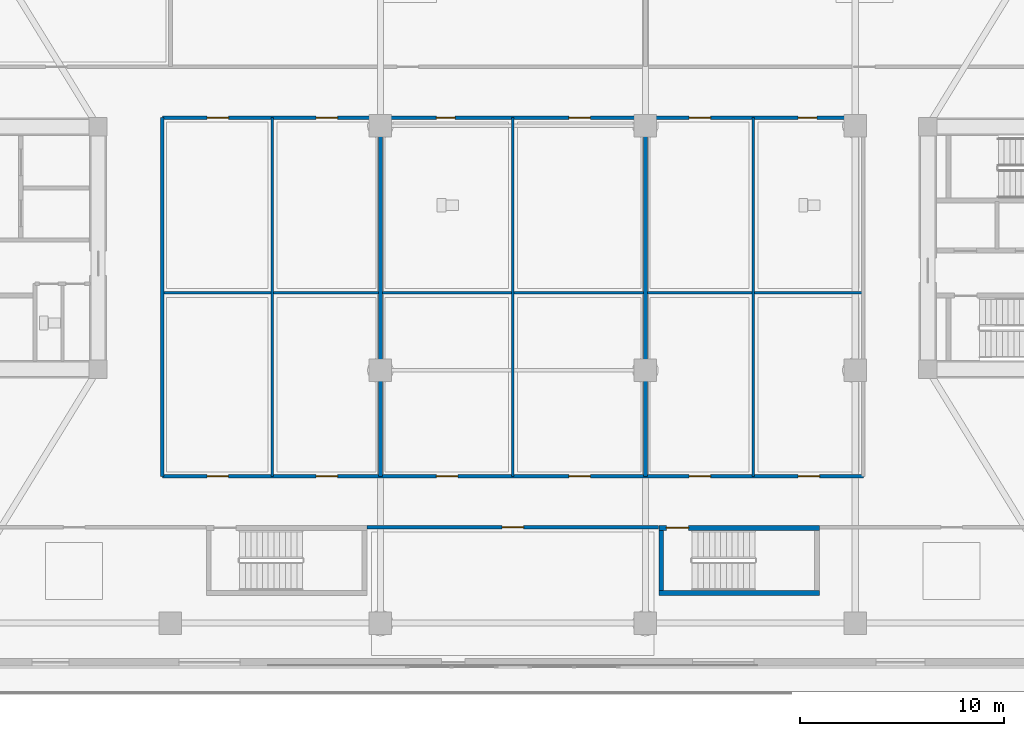
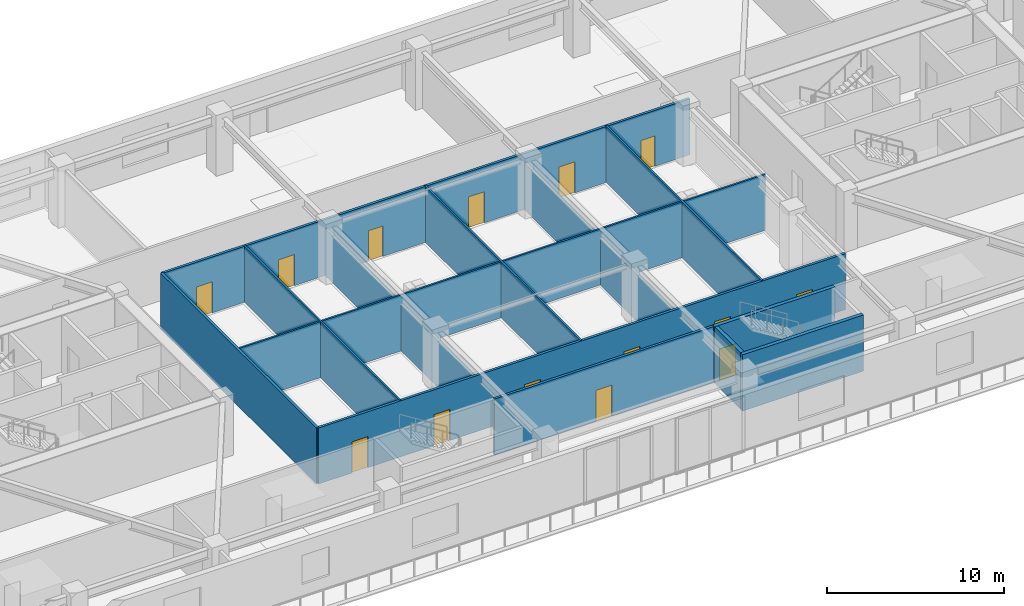
# One storey, part 7 of 22: 14 doors, 13 walls, 14 openings.
"""IFC4 building model written with IfcOpenShell, lengths in metres."""

from ifc_helpers import new_model, si_unit, direction, frame, frame_2d, origin, place, context, subcontext, project, spatial, rectangle, extrude, source, transform, mapped, material, layer, layer_set, type_object, type_shapes, element, fill, save


model = new_model("IFC4")

# Units and contexts
model_context = context("Model", 3, precision=1e-05, world=origin(), true_north=direction((0.0, 1.0)))
body_context = subcontext(model_context, "Body", "Model", "MODEL_VIEW")
ifc_project = project(units=[si_unit("LENGTHUNIT", "METRE"), si_unit("AREAUNIT", "SQUARE_METRE"), si_unit("VOLUMEUNIT", "CUBIC_METRE"), si_unit("PLANEANGLEUNIT", "RADIAN"), si_unit("MASSUNIT", "GRAM", prefix="KILO")], contexts=[model_context])

# Site, building, storey
site_placement = place(None, origin())
site = spatial("IfcSite", under=ifc_project, at=site_placement, CompositionType="ELEMENT")
building_placement = place(site_placement, origin())
building = spatial("IfcBuilding", under=site, at=building_placement, Name="Norrkilde Senior Care Towers", CompositionType="ELEMENT")
storey_placement = place(building_placement, frame((0.0, 0.0, 12.60009765625)))
storey = spatial("IfcBuildingStorey", under=building, at=storey_placement, Name="L03", CompositionType="ELEMENT", Elevation=12.60009765625)

# Wall, opening, door
ifc_material_1 = material(Name="Concrete C45/55", Category="concrete")
ifc_layer_1 = layer(ifc_material_1, 0.239990234375)
ifc_layer_set_1 = layer_set([ifc_layer_1], Name="Concrete C45/55")
wall_type_1 = type_object("IfcWallType", Name="Shaft and Stair Enclosure Wall 240", PredefinedType="PARTITIONING", material=ifc_layer_set_1)
shared_shape_1 = source(origin(), body_context, "Body", "SweptSolid", [
    extrude(rectangle(XDim=7.880126953125, YDim=0.239990234375, at=frame_2d((3.93994140625, 0.0))), origin(), (0.0, 0.0, 1.0), 3.8798828125),
])
wall_1_placement = place(storey_placement, frame((7.159912109375, -13.72998046875, 0.0), z_axis=(0.0, 0.0, 1.0), x_axis=(1.0, 0.0, 0.0)))
wall_1 = element("IfcWall", 1, at=wall_1_placement, inside=storey, type_object=wall_type_1, Name="WL-INT-L03-STP2-N", PredefinedType="PARTITIONING", context=body_context, shape_type="MappedRepresentation", body=[
    mapped(shared_shape_1, transform((0.0, 0.0, 0.0), x_axis=(1.0, 0.0, 0.0), y_axis=(0.0, 1.0, 0.0), z_axis=(0.0, 0.0, 1.0), scale=1.0)),
])
opening_1_placement = place(wall_1_placement, frame((0.3701171875, 0.0, 0.0)))
opening_1 = element("IfcOpeningElement", 2, at=opening_1_placement, cuts=wall_1, Name="Opening D-03", PredefinedType="OPENING", context=body_context, shape_type="SweptSolid", body=[
    extrude(rectangle(XDim=1.10009765625, YDim=2.14990234375, at=frame_2d((0.550048828125, 1.074951171875))), frame((0.0, 0.1298828125, 0.0), z_axis=(0.0, -1.0, 0.0), x_axis=(1.0, 0.0, 0.0)), (0.0, 0.0, 1.0), 0.260009765625),
])
ifc_material_2 = material(Name="Galvanised Painted Steel", Category="steel")
door_type_1 = type_object("IfcDoorType", Name="Stairwell Protected Fire Door 1100x2150", OperationType="NOTDEFINED", PredefinedType="DOOR", material=ifc_material_2)
shared_shape_2 = source(origin(), body_context, "Body", "SweptSolid", [
    extrude(rectangle(XDim=1.10009765625, YDim=2.14990234375, at=frame_2d((0.550048828125, 1.074951171875))), frame((0.0, 0.02490234375, 0.0), z_axis=(0.0, -1.0, 0.0), x_axis=(1.0, 0.0, 0.0)), (0.0, 0.0, 1.0), 0.050048828125),
])
type_shapes(door_type_1, [shared_shape_2])
door_1_placement = place(opening_1_placement, origin())
door_1 = element("IfcDoor", 3, at=door_1_placement, inside=storey, type_object=door_type_1, Name="L03 Podium Stair P2 Door", OperationType="SINGLE_SWING_LEFT", OverallHeight=2.14990234375, OverallWidth=1.10009765625, PredefinedType="DOOR", context=body_context, shape_type="MappedRepresentation", body=[
    mapped(shared_shape_2, transform((0.0, 0.0, 0.0), x_axis=(1.0, 0.0, 0.0), y_axis=(0.0, 1.0, 0.0), z_axis=(0.0, 0.0, 1.0), scale=1.0)),
])
fill(opening_1, door_1)

# Walls
wall_2_placement = place(storey_placement, frame((7.159912109375, -16.919921875, 0.0), z_axis=(0.0, 0.0, 1.0), x_axis=(1.0, 0.0, 0.0)))
element("IfcWall", 4, at=wall_2_placement, inside=storey, type_object=wall_type_1, Name="WL-INT-L03-STP2-S", PredefinedType="PARTITIONING", context=body_context, shape_type="MappedRepresentation", body=[
    mapped(shared_shape_1, transform((0.0, 0.0, 0.0), x_axis=(1.0, 0.0, 0.0), y_axis=(0.0, 1.0, 0.0), z_axis=(0.0, 0.0, 1.0), scale=1.0)),
])
shared_shape_3 = source(origin(), body_context, "Body", "SweptSolid", [
    extrude(rectangle(XDim=2.949951171875, YDim=0.239990234375, at=frame_2d((1.47509765625, 0.0))), origin(), (0.0, 0.0, 1.0), 3.8798828125),
])
type_shapes(wall_type_1, [shared_shape_1, shared_shape_3])
wall_3_placement = place(storey_placement, frame((7.280029296875, -16.800048828125, 0.0), z_axis=(0.0, 0.0, 1.0), x_axis=(0.0, 1.0, 0.0)))
element("IfcWall", 5, at=wall_3_placement, inside=storey, type_object=wall_type_1, Name="WL-INT-L03-STP2-W", PredefinedType="PARTITIONING", context=body_context, shape_type="MappedRepresentation", body=[
    mapped(shared_shape_3, transform((0.0, 0.0, 0.0), x_axis=(1.0, 0.0, 0.0), y_axis=(0.0, 1.0, 0.0), z_axis=(0.0, 0.0, 1.0), scale=1.0)),
])
ifc_material_3 = material(Name="Gypsum Acoustic Board")
ifc_layer_2 = layer(ifc_material_3, 0.1650390625)
ifc_layer_set_2 = layer_set([ifc_layer_2], Name="Gypsum Acoustic Board")
wall_type_2 = type_object("IfcWallType", Name="Corridor Rated Partition 165", PredefinedType="PARTITIONING", material=ifc_layer_set_2)
shared_shape_4 = source(origin(), body_context, "Body", "SweptSolid", [
    extrude(rectangle(XDim=17.599853515625, YDim=0.1650390625, at=frame_2d((8.7998046875, 0.0))), origin(), (0.0, 0.0, 1.0), 3.864990234375),
])
wall_4_placement = place(storey_placement, frame((-17.199951171875, -11.199951171875, 0.0), z_axis=(0.0, 0.0, 1.0), x_axis=(0.0, 1.0, 0.0)))
element("IfcWall", 6, at=wall_4_placement, inside=storey, type_object=wall_type_2, Name="WL-INT-L03-POD-W", PredefinedType="PARTITIONING", context=body_context, shape_type="MappedRepresentation", body=[
    mapped(shared_shape_4, transform((0.0, 0.0, 0.0), x_axis=(1.0, 0.0, 0.0), y_axis=(0.0, 1.0, 0.0), z_axis=(0.0, 0.0, 1.0), scale=1.0)),
])

# Wall, openings, doors
shared_shape_5 = source(origin(), body_context, "Body", "SweptSolid", [
    extrude(rectangle(XDim=34.39990234375, YDim=0.1650390625, at=frame_2d((17.199951171875, 0.0))), origin(), (0.0, 0.0, 1.0), 3.864990234375),
])
wall_5_placement = place(storey_placement, frame((-17.199951171875, -11.199951171875, 0.0), z_axis=(0.0, 0.0, 1.0), x_axis=(1.0, 0.0, 0.0)))
wall_5 = element("IfcWall", 7, at=wall_5_placement, inside=storey, type_object=wall_type_2, Name="WL-INT-L03-POD-CS", PredefinedType="PARTITIONING", context=body_context, shape_type="MappedRepresentation", body=[
    mapped(shared_shape_5, transform((0.0, 0.0, 0.0), x_axis=(1.0, 0.0, 0.0), y_axis=(0.0, 1.0, 0.0), z_axis=(0.0, 0.0, 1.0), scale=1.0)),
])
opening_2_placement = place(wall_5_placement, frame((2.199951171875, 0.0, 0.0)))
opening_2 = element("IfcOpeningElement", 8, at=opening_2_placement, cuts=wall_5, Name="Opening D-06", PredefinedType="OPENING", context=body_context, shape_type="SweptSolid", body=[
    extrude(rectangle(XDim=1.050048828125, YDim=2.14990234375, at=frame_2d((0.52490234375, 1.074951171875))), frame((0.0, 0.092529296875, 0.0), z_axis=(0.0, -1.0, 0.0), x_axis=(1.0, 0.0, 0.0)), (0.0, 0.0, 1.0), 0.18505859375),
])
opening_3_placement = place(wall_5_placement, frame((7.550048828125, 0.0, 0.0)))
opening_3 = element("IfcOpeningElement", 9, at=opening_3_placement, cuts=wall_5, Name="Opening D-06", PredefinedType="OPENING", context=body_context, shape_type="SweptSolid", body=[
    extrude(rectangle(XDim=1.050048828125, YDim=2.14990234375, at=frame_2d((0.52490234375, 1.074951171875))), frame((0.0, 0.092529296875, 0.0), z_axis=(0.0, -1.0, 0.0), x_axis=(1.0, 0.0, 0.0)), (0.0, 0.0, 1.0), 0.18505859375),
])
opening_4_placement = place(wall_5_placement, frame((13.449951171875, 0.0, 0.0)))
opening_4 = element("IfcOpeningElement", 10, at=opening_4_placement, cuts=wall_5, Name="Opening D-06", PredefinedType="OPENING", context=body_context, shape_type="SweptSolid", body=[
    extrude(rectangle(XDim=1.050048828125, YDim=2.14990234375, at=frame_2d((0.52490234375, 1.074951171875))), frame((0.0, 0.092529296875, 0.0), z_axis=(0.0, -1.0, 0.0), x_axis=(1.0, 0.0, 0.0)), (0.0, 0.0, 1.0), 0.18505859375),
])
opening_5_placement = place(wall_5_placement, frame((19.949951171875, 0.0, 0.0)))
opening_5 = element("IfcOpeningElement", 11, at=opening_5_placement, cuts=wall_5, Name="Opening D-06", PredefinedType="OPENING", context=body_context, shape_type="SweptSolid", body=[
    extrude(rectangle(XDim=1.050048828125, YDim=2.14990234375, at=frame_2d((0.52490234375, 1.074951171875))), frame((0.0, 0.092529296875, 0.0), z_axis=(0.0, -1.0, 0.0), x_axis=(1.0, 0.0, 0.0)), (0.0, 0.0, 1.0), 0.18505859375),
])
opening_6_placement = place(wall_5_placement, frame((25.85009765625, 0.0, 0.0)))
opening_6 = element("IfcOpeningElement", 12, at=opening_6_placement, cuts=wall_5, Name="Opening D-06", PredefinedType="OPENING", context=body_context, shape_type="SweptSolid", body=[
    extrude(rectangle(XDim=1.050048828125, YDim=2.14990234375, at=frame_2d((0.52490234375, 1.074951171875))), frame((0.0, 0.092529296875, 0.0), z_axis=(0.0, -1.0, 0.0), x_axis=(1.0, 0.0, 0.0)), (0.0, 0.0, 1.0), 0.18505859375),
])
opening_7_placement = place(wall_5_placement, frame((31.199951171875, 0.0, 0.0)))
opening_7 = element("IfcOpeningElement", 13, at=opening_7_placement, cuts=wall_5, Name="Opening D-06", PredefinedType="OPENING", context=body_context, shape_type="SweptSolid", body=[
    extrude(rectangle(XDim=1.050048828125, YDim=2.14990234375, at=frame_2d((0.52490234375, 1.074951171875))), frame((0.0, 0.092529296875, 0.0), z_axis=(0.0, -1.0, 0.0), x_axis=(1.0, 0.0, 0.0)), (0.0, 0.0, 1.0), 0.18505859375),
])
ifc_material_4 = material(Name="Nordic Ash Timber", Category="wood")
door_type_2 = type_object("IfcDoorType", Name="Apartment Entrance Fire Door 1050x2150", OperationType="NOTDEFINED", PredefinedType="DOOR", material=ifc_material_4)
shared_shape_6 = source(origin(), body_context, "Body", "SweptSolid", [
    extrude(rectangle(XDim=1.050048828125, YDim=2.14990234375, at=frame_2d((0.52490234375, 1.074951171875))), frame((0.0, 0.02490234375, 0.0), z_axis=(0.0, -1.0, 0.0), x_axis=(1.0, 0.0, 0.0)), (0.0, 0.0, 1.0), 0.050048828125),
])
type_shapes(door_type_2, [shared_shape_6])
door_2_placement = place(opening_2_placement, origin())
door_2 = element("IfcDoor", 14, at=door_2_placement, inside=storey, type_object=door_type_2, Name="L03 Occupational Therapy Kitchen Door", OperationType="SINGLE_SWING_LEFT", OverallHeight=2.14990234375, OverallWidth=1.050048828125, PredefinedType="DOOR", context=body_context, shape_type="MappedRepresentation", body=[
    mapped(shared_shape_6, transform((0.0, 0.0, 0.0), x_axis=(1.0, 0.0, 0.0), y_axis=(0.0, 1.0, 0.0), z_axis=(0.0, 0.0, 1.0), scale=1.0)),
])
fill(opening_2, door_2)
door_3_placement = place(opening_3_placement, origin())
door_3 = element("IfcDoor", 15, at=door_3_placement, inside=storey, type_object=door_type_2, Name="L03 Senior Communal Dining Salon Door", OperationType="SINGLE_SWING_LEFT", OverallHeight=2.14990234375, OverallWidth=1.050048828125, PredefinedType="DOOR", context=body_context, shape_type="MappedRepresentation", body=[
    mapped(shared_shape_6, transform((0.0, 0.0, 0.0), x_axis=(1.0, 0.0, 0.0), y_axis=(0.0, 1.0, 0.0), z_axis=(0.0, 0.0, 1.0), scale=1.0)),
])
fill(opening_3, door_3)
door_4_placement = place(opening_4_placement, origin())
door_4 = element("IfcDoor", 16, at=door_4_placement, inside=storey, type_object=door_type_2, Name="L03 Case Management Office Door", OperationType="SINGLE_SWING_LEFT", OverallHeight=2.14990234375, OverallWidth=1.050048828125, PredefinedType="DOOR", context=body_context, shape_type="MappedRepresentation", body=[
    mapped(shared_shape_6, transform((0.0, 0.0, 0.0), x_axis=(1.0, 0.0, 0.0), y_axis=(0.0, 1.0, 0.0), z_axis=(0.0, 0.0, 1.0), scale=1.0)),
])
fill(opening_4, door_4)
door_5_placement = place(opening_5_placement, origin())
door_5 = element("IfcDoor", 17, at=door_5_placement, inside=storey, type_object=door_type_2, Name="L03 Art and Music Therapy Lounge Door", OperationType="SINGLE_SWING_LEFT", OverallHeight=2.14990234375, OverallWidth=1.050048828125, PredefinedType="DOOR", context=body_context, shape_type="MappedRepresentation", body=[
    mapped(shared_shape_6, transform((0.0, 0.0, 0.0), x_axis=(1.0, 0.0, 0.0), y_axis=(0.0, 1.0, 0.0), z_axis=(0.0, 0.0, 1.0), scale=1.0)),
])
fill(opening_5, door_5)
door_6_placement = place(opening_6_placement, origin())
door_6 = element("IfcDoor", 18, at=door_6_placement, inside=storey, type_object=door_type_2, Name="L03 Cognitive Wellness Lounge Door", OperationType="SINGLE_SWING_LEFT", OverallHeight=2.14990234375, OverallWidth=1.050048828125, PredefinedType="DOOR", context=body_context, shape_type="MappedRepresentation", body=[
    mapped(shared_shape_6, transform((0.0, 0.0, 0.0), x_axis=(1.0, 0.0, 0.0), y_axis=(0.0, 1.0, 0.0), z_axis=(0.0, 0.0, 1.0), scale=1.0)),
])
fill(opening_6, door_6)
door_7_placement = place(opening_7_placement, origin())
door_7 = element("IfcDoor", 19, at=door_7_placement, inside=storey, type_object=door_type_2, Name="L03 Medical Records Office Door", OperationType="SINGLE_SWING_LEFT", OverallHeight=2.14990234375, OverallWidth=1.050048828125, PredefinedType="DOOR", context=body_context, shape_type="MappedRepresentation", body=[
    mapped(shared_shape_6, transform((0.0, 0.0, 0.0), x_axis=(1.0, 0.0, 0.0), y_axis=(0.0, 1.0, 0.0), z_axis=(0.0, 0.0, 1.0), scale=1.0)),
])
fill(opening_7, door_7)

wall_6_placement = place(storey_placement, frame((-17.199951171875, 6.39990234375, 0.0), z_axis=(0.0, 0.0, 1.0), x_axis=(1.0, 0.0, 0.0)))
wall_6 = element("IfcWall", 20, at=wall_6_placement, inside=storey, type_object=wall_type_2, Name="WL-INT-L03-POD-CN", PredefinedType="PARTITIONING", context=body_context, shape_type="MappedRepresentation", body=[
    mapped(shared_shape_5, transform((0.0, 0.0, 0.0), x_axis=(1.0, 0.0, 0.0), y_axis=(0.0, 1.0, 0.0), z_axis=(0.0, 0.0, 1.0), scale=1.0)),
])
opening_8_placement = place(wall_6_placement, frame((2.199951171875, 0.0, 0.0)))
opening_8 = element("IfcOpeningElement", 21, at=opening_8_placement, cuts=wall_6, Name="Opening D-06", PredefinedType="OPENING", context=body_context, shape_type="SweptSolid", body=[
    extrude(rectangle(XDim=1.050048828125, YDim=2.14990234375, at=frame_2d((0.52490234375, 1.074951171875))), frame((0.0, 0.092529296875, 0.0), z_axis=(0.0, -1.0, 0.0), x_axis=(1.0, 0.0, 0.0)), (0.0, 0.0, 1.0), 0.18505859375),
])
opening_9_placement = place(wall_6_placement, frame((7.550048828125, 0.0, 0.0)))
opening_9 = element("IfcOpeningElement", 22, at=opening_9_placement, cuts=wall_6, Name="Opening D-06", PredefinedType="OPENING", context=body_context, shape_type="SweptSolid", body=[
    extrude(rectangle(XDim=1.050048828125, YDim=2.14990234375, at=frame_2d((0.52490234375, 1.074951171875))), frame((0.0, 0.092529296875, 0.0), z_axis=(0.0, -1.0, 0.0), x_axis=(1.0, 0.0, 0.0)), (0.0, 0.0, 1.0), 0.18505859375),
])
opening_10_placement = place(wall_6_placement, frame((13.449951171875, 0.0, 0.0)))
opening_10 = element("IfcOpeningElement", 23, at=opening_10_placement, cuts=wall_6, Name="Opening D-08", PredefinedType="OPENING", context=body_context, shape_type="SweptSolid", body=[
    extrude(rectangle(XDim=0.919921875, YDim=2.10009765625, at=frame_2d((0.4599609375, 1.050048828125))), frame((0.0, 0.092529296875, 0.0), z_axis=(0.0, -1.0, 0.0), x_axis=(1.0, 0.0, 0.0)), (0.0, 0.0, 1.0), 0.18505859375),
])
opening_11_placement = place(wall_6_placement, frame((19.949951171875, 0.0, 0.0)))
opening_11 = element("IfcOpeningElement", 24, at=opening_11_placement, cuts=wall_6, Name="Opening D-06", PredefinedType="OPENING", context=body_context, shape_type="SweptSolid", body=[
    extrude(rectangle(XDim=1.050048828125, YDim=2.14990234375, at=frame_2d((0.52490234375, 1.074951171875))), frame((0.0, 0.092529296875, 0.0), z_axis=(0.0, -1.0, 0.0), x_axis=(1.0, 0.0, 0.0)), (0.0, 0.0, 1.0), 0.18505859375),
])
opening_12_placement = place(wall_6_placement, frame((25.85009765625, 0.0, 0.0)))
opening_12 = element("IfcOpeningElement", 25, at=opening_12_placement, cuts=wall_6, Name="Opening D-06", PredefinedType="OPENING", context=body_context, shape_type="SweptSolid", body=[
    extrude(rectangle(XDim=1.050048828125, YDim=2.14990234375, at=frame_2d((0.52490234375, 1.074951171875))), frame((0.0, 0.092529296875, 0.0), z_axis=(0.0, -1.0, 0.0), x_axis=(1.0, 0.0, 0.0)), (0.0, 0.0, 1.0), 0.18505859375),
])
opening_13_placement = place(wall_6_placement, frame((31.199951171875, 0.0, 0.0)))
opening_13 = element("IfcOpeningElement", 26, at=opening_13_placement, cuts=wall_6, Name="Opening D-08", PredefinedType="OPENING", context=body_context, shape_type="SweptSolid", body=[
    extrude(rectangle(XDim=0.919921875, YDim=2.10009765625, at=frame_2d((0.4599609375, 1.050048828125))), frame((0.0, 0.092529296875, 0.0), z_axis=(0.0, -1.0, 0.0), x_axis=(1.0, 0.0, 0.0)), (0.0, 0.0, 1.0), 0.18505859375),
])
door_type_3 = type_object("IfcDoorType", Name="Accessible Wet Room Door 920x2100", OperationType="NOTDEFINED", PredefinedType="DOOR", material=ifc_material_4)
shared_shape_7 = source(origin(), body_context, "Body", "SweptSolid", [
    extrude(rectangle(XDim=0.919921875, YDim=2.10009765625, at=frame_2d((0.4599609375, 1.050048828125))), frame((0.0, 0.02490234375, 0.0), z_axis=(0.0, -1.0, 0.0), x_axis=(1.0, 0.0, 0.0)), (0.0, 0.0, 1.0), 0.050048828125),
])
type_shapes(door_type_3, [shared_shape_7])
door_8_placement = place(opening_10_placement, frame((0.919921875, 0.0, 0.0), z_axis=(0.0, 0.0, 1.0), x_axis=(-1.0, 0.0, 0.0)))
door_8 = element("IfcDoor", 27, at=door_8_placement, inside=storey, type_object=door_type_3, Name="L03 Barrier-Free Accessible Toilets Door", OperationType="SINGLE_SWING_RIGHT", OverallHeight=2.10009765625, OverallWidth=0.919921875, PredefinedType="DOOR", context=body_context, shape_type="MappedRepresentation", body=[
    mapped(shared_shape_7, transform((0.0, 0.0, 0.0), x_axis=(1.0, 0.0, 0.0), y_axis=(0.0, 1.0, 0.0), z_axis=(0.0, 0.0, 1.0), scale=1.0)),
])
fill(opening_10, door_8)
door_9_placement = place(opening_13_placement, frame((0.919921875, 0.0, 0.0), z_axis=(0.0, 0.0, 1.0), x_axis=(-1.0, 0.0, 0.0)))
door_9 = element("IfcDoor", 28, at=door_9_placement, inside=storey, type_object=door_type_3, Name="L03 Public and Staff Restrooms Door", OperationType="SINGLE_SWING_RIGHT", OverallHeight=2.10009765625, OverallWidth=0.919921875, PredefinedType="DOOR", context=body_context, shape_type="MappedRepresentation", body=[
    mapped(shared_shape_7, transform((0.0, 0.0, 0.0), x_axis=(1.0, 0.0, 0.0), y_axis=(0.0, 1.0, 0.0), z_axis=(0.0, 0.0, 1.0), scale=1.0)),
])
fill(opening_13, door_9)
door_10_placement = place(opening_8_placement, frame((1.050048828125, 0.0, 0.0), z_axis=(0.0, 0.0, 1.0), x_axis=(-1.0, 0.0, 0.0)))
door_10 = element("IfcDoor", 29, at=door_10_placement, inside=storey, type_object=door_type_2, Name="L03 Memory Day-Care Lounge Door", OperationType="SINGLE_SWING_RIGHT", OverallHeight=2.14990234375, OverallWidth=1.050048828125, PredefinedType="DOOR", context=body_context, shape_type="MappedRepresentation", body=[
    mapped(shared_shape_6, transform((0.0, 0.0, 0.0), x_axis=(1.0, 0.0, 0.0), y_axis=(0.0, 1.0, 0.0), z_axis=(0.0, 0.0, 1.0), scale=1.0)),
])
fill(opening_8, door_10)
door_11_placement = place(opening_9_placement, frame((1.050048828125, 0.0, 0.0), z_axis=(0.0, 0.0, 1.0), x_axis=(-1.0, 0.0, 0.0)))
door_11 = element("IfcDoor", 30, at=door_11_placement, inside=storey, type_object=door_type_2, Name="L03 Geriatric Audiology Clinic Door", OperationType="SINGLE_SWING_RIGHT", OverallHeight=2.14990234375, OverallWidth=1.050048828125, PredefinedType="DOOR", context=body_context, shape_type="MappedRepresentation", body=[
    mapped(shared_shape_6, transform((0.0, 0.0, 0.0), x_axis=(1.0, 0.0, 0.0), y_axis=(0.0, 1.0, 0.0), z_axis=(0.0, 0.0, 1.0), scale=1.0)),
])
fill(opening_9, door_11)
door_12_placement = place(opening_11_placement, frame((1.050048828125, 0.0, 0.0), z_axis=(0.0, 0.0, 1.0), x_axis=(-1.0, 0.0, 0.0)))
door_12 = element("IfcDoor", 31, at=door_12_placement, inside=storey, type_object=door_type_2, Name="L03 Physiotherapy Gait Lab Door", OperationType="SINGLE_SWING_RIGHT", OverallHeight=2.14990234375, OverallWidth=1.050048828125, PredefinedType="DOOR", context=body_context, shape_type="MappedRepresentation", body=[
    mapped(shared_shape_6, transform((0.0, 0.0, 0.0), x_axis=(1.0, 0.0, 0.0), y_axis=(0.0, 1.0, 0.0), z_axis=(0.0, 0.0, 1.0), scale=1.0)),
])
fill(opening_11, door_12)
door_13_placement = place(opening_12_placement, frame((1.050048828125, 0.0, 0.0), z_axis=(0.0, 0.0, 1.0), x_axis=(-1.0, 0.0, 0.0)))
door_13 = element("IfcDoor", 32, at=door_13_placement, inside=storey, type_object=door_type_2, Name="L03 Nutrition Consultation Office Door", OperationType="SINGLE_SWING_RIGHT", OverallHeight=2.14990234375, OverallWidth=1.050048828125, PredefinedType="DOOR", context=body_context, shape_type="MappedRepresentation", body=[
    mapped(shared_shape_6, transform((0.0, 0.0, 0.0), x_axis=(1.0, 0.0, 0.0), y_axis=(0.0, 1.0, 0.0), z_axis=(0.0, 0.0, 1.0), scale=1.0)),
])
fill(opening_12, door_13)

# Wall, opening, door
shared_shape_8 = source(origin(), body_context, "Body", "SweptSolid", [
    extrude(rectangle(XDim=14.2998046875, YDim=0.1650390625, at=frame_2d((7.14990234375, 0.0))), origin(), (0.0, 0.0, 1.0), 3.864990234375),
])
type_shapes(wall_type_2, [shared_shape_4, shared_shape_5, shared_shape_8])
wall_7_placement = place(storey_placement, frame((-7.14990234375, -13.699951171875, 0.0), z_axis=(0.0, 0.0, 1.0), x_axis=(1.0, 0.0, 0.0)))
wall_7 = element("IfcWall", 33, at=wall_7_placement, inside=storey, type_object=wall_type_2, Name="WL-INT-L03-POD-SPM", PredefinedType="PARTITIONING", context=body_context, shape_type="MappedRepresentation", body=[
    mapped(shared_shape_8, transform((0.0, 0.0, 0.0), x_axis=(1.0, 0.0, 0.0), y_axis=(0.0, 1.0, 0.0), z_axis=(0.0, 0.0, 1.0), scale=1.0)),
])
opening_14_placement = place(wall_7_placement, frame((6.625, 0.0, 0.0)))
opening_14 = element("IfcOpeningElement", 34, at=opening_14_placement, cuts=wall_7, Name="Opening D-06", PredefinedType="OPENING", context=body_context, shape_type="SweptSolid", body=[
    extrude(rectangle(XDim=1.050048828125, YDim=2.14990234375, at=frame_2d((0.52490234375, 1.074951171875))), frame((0.0, 0.092529296875, 0.0), z_axis=(0.0, -1.0, 0.0), x_axis=(1.0, 0.0, 0.0)), (0.0, 0.0, 1.0), 0.18505859375),
])
door_14_placement = place(opening_14_placement, frame((1.050048828125, 0.0, 0.0), z_axis=(0.0, 0.0, 1.0), x_axis=(-1.0, 0.0, 0.0)))
door_14 = element("IfcDoor", 35, at=door_14_placement, inside=storey, type_object=door_type_2, Name="L03 South Suite SMID Door", OperationType="SINGLE_SWING_LEFT", OverallHeight=2.14990234375, OverallWidth=1.050048828125, PredefinedType="DOOR", context=body_context, shape_type="MappedRepresentation", body=[
    mapped(shared_shape_6, transform((0.0, 0.0, 0.0), x_axis=(1.0, 0.0, 0.0), y_axis=(0.0, 1.0, 0.0), z_axis=(0.0, 0.0, 1.0), scale=1.0)),
])
fill(opening_14, door_14)

# Walls
ifc_layer_3 = layer(ifc_material_3, 0.18994140625)
ifc_layer_set_3 = layer_set([ifc_layer_3], Name="Gypsum Acoustic Board")
wall_type_3 = type_object("IfcWallType", Name="Unit Demising Acoustic Wall 190", PredefinedType="PARTITIONING", material=ifc_layer_set_3)
shared_shape_9 = source(origin(), body_context, "Body", "SweptSolid", [
    extrude(rectangle(XDim=17.599853515625, YDim=0.18994140625, at=frame_2d((8.7998046875, 0.0))), origin(), (0.0, 0.0, 1.0), 3.21484375),
])
type_shapes(wall_type_3, [shared_shape_9])
for number, where, z_axis, x_axis, name in (
    (36, (-6.5, -11.199951171875, 0.0), (0.0, 0.0, 1.0), (0.0, 1.0, 0.0), "WL-INT-L03-POD-M1"),
    (37, (6.5, -11.199951171875, 0.0), (0.0, 0.0, 1.0), (0.0, 1.0, 0.0), "WL-INT-L03-POD-M2"),
):
    element("IfcWall", number, at=place(storey_placement, frame(where, z_axis=z_axis, x_axis=x_axis)), inside=storey, type_object=wall_type_3, Name=name, PredefinedType="PARTITIONING", context=body_context, shape_type="MappedRepresentation", body=[
        mapped(shared_shape_9, transform((0.0, 0.0, 0.0), x_axis=(1.0, 0.0, 0.0), y_axis=(0.0, 1.0, 0.0), z_axis=(0.0, 0.0, 1.0), scale=1.0)),
    ])
ifc_layer_4 = layer(ifc_material_3, 0.114990234375)
ifc_layer_set_4 = layer_set([ifc_layer_4], Name="Gypsum Acoustic Board")
wall_type_4 = type_object("IfcWallType", Name="Internal Room Partition 115", PredefinedType="PARTITIONING", material=ifc_layer_set_4)
shared_shape_10 = source(origin(), body_context, "Body", "SweptSolid", [
    extrude(rectangle(XDim=17.599853515625, YDim=0.114990234375, at=frame_2d((8.7998046875, 0.0))), origin(), (0.0, 0.0, 1.0), 3.864990234375),
])
for number, where, z_axis, x_axis, name in (
    (38, (-11.800048828125, -11.199951171875, 0.0), (0.0, 0.0, 1.0), (0.0, 1.0, 0.0), "WL-INT-L03-POD-MV-12"),
    (39, (0.0, -11.199951171875, 0.0), (0.0, 0.0, 1.0), (0.0, 1.0, 0.0), "WL-INT-L03-POD-MV+0"),
    (40, (11.800048828125, -11.199951171875, 0.0), (0.0, 0.0, 1.0), (0.0, 1.0, 0.0), "WL-INT-L03-POD-MV+12"),
):
    element("IfcWall", number, at=place(storey_placement, frame(where, z_axis=z_axis, x_axis=x_axis)), inside=storey, type_object=wall_type_4, Name=name, PredefinedType="PARTITIONING", context=body_context, shape_type="MappedRepresentation", body=[
        mapped(shared_shape_10, transform((0.0, 0.0, 0.0), x_axis=(1.0, 0.0, 0.0), y_axis=(0.0, 1.0, 0.0), z_axis=(0.0, 0.0, 1.0), scale=1.0)),
    ])
shared_shape_11 = source(origin(), body_context, "Body", "SweptSolid", [
    extrude(rectangle(XDim=34.39990234375, YDim=0.114990234375, at=frame_2d((17.199951171875, 0.0))), origin(), (0.0, 0.0, 1.0), 3.864990234375),
])
type_shapes(wall_type_4, [shared_shape_10, shared_shape_11])
wall_8_placement = place(storey_placement, frame((-17.199951171875, -2.199951171875, 0.0), z_axis=(0.0, 0.0, 1.0), x_axis=(1.0, 0.0, 0.0)))
element("IfcWall", 41, at=wall_8_placement, inside=storey, type_object=wall_type_4, Name="WL-INT-L03-POD-MH", PredefinedType="PARTITIONING", context=body_context, shape_type="MappedRepresentation", body=[
    mapped(shared_shape_11, transform((0.0, 0.0, 0.0), x_axis=(1.0, 0.0, 0.0), y_axis=(0.0, 1.0, 0.0), z_axis=(0.0, 0.0, 1.0), scale=1.0)),
])

save(model, "model.ifc")
